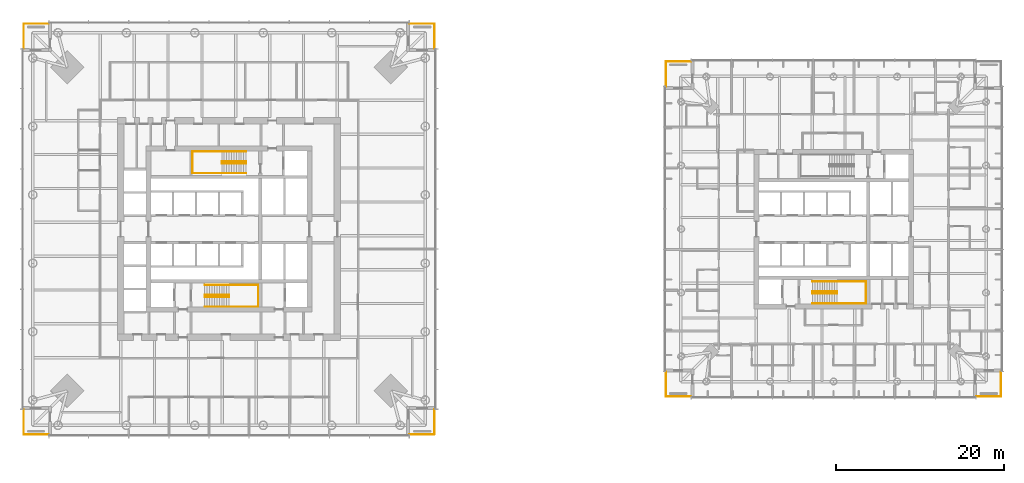
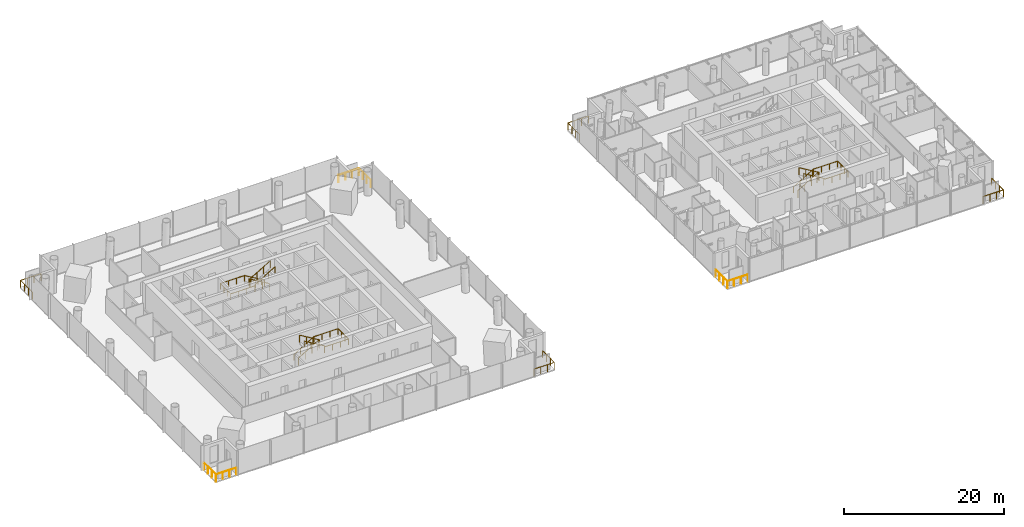
# One storey, part 21 of 22: 13 railings.
"""IFC4 building model written with IfcOpenShell, lengths in metres."""

from ifc_helpers import new_model, si_unit, direction, frame, origin, origin_2d, place, context, subcontext, project, spatial, circle, extrude, material, type_object, element, save


model = new_model("IFC4")

# Units and contexts
model_context = context("Model", 3, precision=1e-05, world=origin(), true_north=direction((0.0, 1.0)))
body_context = subcontext(model_context, "Body", "Model", "MODEL_VIEW")
ifc_project = project(units=[si_unit("LENGTHUNIT", "METRE"), si_unit("AREAUNIT", "SQUARE_METRE"), si_unit("VOLUMEUNIT", "CUBIC_METRE"), si_unit("PLANEANGLEUNIT", "RADIAN"), si_unit("MASSUNIT", "GRAM", prefix="KILO")], contexts=[model_context])

# Site, building, storey
site_placement = place(None, origin())
site = spatial("IfcSite", under=ifc_project, at=site_placement, CompositionType="ELEMENT")
building_placement = place(site_placement, origin())
building = spatial("IfcBuilding", under=site, at=building_placement, Name="Ostroluk Exchange", CompositionType="ELEMENT")
storey_placement = place(building_placement, frame((0.0, 0.0, 40.0)))
storey = spatial("IfcBuildingStorey", under=building, at=storey_placement, Name="L09", CompositionType="ELEMENT", Elevation=40.0)

# Railings
ifc_material_1 = material(Name="Stainless steel", Category="steel")
railing_type_1 = type_object("IfcRailingType", Name="Guard 1100 stainless steel", PredefinedType="GUARDRAIL", material=ifc_material_1)
railing_1_placement = place(storey_placement, frame((66.5, 21.550048828125, 0.0)))
element("IfcRailing", 1, at=railing_1_placement, inside=storey, type_object=railing_type_1, Name="Office tower SE balcony guard L09", PredefinedType="GUARDRAIL", context=body_context, shape_type="SweptSolid", body=[
    extrude(circle(Radius=0.02392578125, at=origin_2d()), frame((0.0, 0.0, 1.076171875), z_axis=(1.0, 0.0, 0.0), x_axis=(0.0, 1.0, 0.0)), (0.0, 0.0, 1.0), 2.949951171875),
    extrude(circle(Radius=0.02392578125, at=origin_2d()), frame((2.949951171875, 0.0, 1.076171875), z_axis=(0.0, 1.0, 0.0), x_axis=(-1.0, 0.0, 0.0)), (0.0, 0.0, 1.0), 2.949951171875),
    extrude(circle(Radius=0.02099609375, at=origin_2d()), origin(), (0.0, 0.0, 1.0), 1.052001953125),
    extrude(circle(Radius=0.02099609375, at=origin_2d()), frame((0.9833984375, 0.0, 0.0)), (0.0, 0.0, 1.0), 1.052001953125),
    extrude(circle(Radius=0.02099609375, at=origin_2d()), frame((1.966552734375, 0.0, 0.0)), (0.0, 0.0, 1.0), 1.052001953125),
    extrude(circle(Radius=0.02099609375, at=origin_2d()), frame((2.949951171875, 0.0, 0.0)), (0.0, 0.0, 1.0), 1.052001953125),
    extrude(circle(Radius=0.02099609375, at=origin_2d()), frame((2.949951171875, 0.9833984375, 0.0)), (0.0, 0.0, 1.0), 1.052001953125),
    extrude(circle(Radius=0.02099609375, at=origin_2d()), frame((2.949951171875, 1.966552734375, 0.0)), (0.0, 0.0, 1.0), 1.052001953125),
    extrude(circle(Radius=0.02099609375, at=origin_2d()), frame((2.949951171875, 2.949951171875, 0.0)), (0.0, 0.0, 1.0), 1.052001953125),
])
railing_2_placement = place(storey_placement, frame((66.5, 70.449951171875, 0.0)))
element("IfcRailing", 2, at=railing_2_placement, inside=storey, type_object=railing_type_1, Name="Office tower NE balcony guard L09", PredefinedType="GUARDRAIL", context=body_context, shape_type="SweptSolid", body=[
    extrude(circle(Radius=0.02392578125, at=origin_2d()), frame((0.0, 0.0, 1.076171875), z_axis=(1.0, 0.0, 0.0), x_axis=(0.0, 1.0, 0.0)), (0.0, 0.0, 1.0), 2.949951171875),
    extrude(circle(Radius=0.02392578125, at=origin_2d()), frame((2.949951171875, 0.0, 1.076171875), z_axis=(0.0, -1.0, 0.0), x_axis=(1.0, 0.0, 0.0)), (0.0, 0.0, 1.0), 2.949951171875),
    extrude(circle(Radius=0.02099609375, at=origin_2d()), origin(), (0.0, 0.0, 1.0), 1.052001953125),
    extrude(circle(Radius=0.02099609375, at=origin_2d()), frame((0.9833984375, 0.0, 0.0)), (0.0, 0.0, 1.0), 1.052001953125),
    extrude(circle(Radius=0.02099609375, at=origin_2d()), frame((1.966552734375, 0.0, 0.0)), (0.0, 0.0, 1.0), 1.052001953125),
    extrude(circle(Radius=0.02099609375, at=origin_2d()), frame((2.949951171875, 0.0, 0.0)), (0.0, 0.0, 1.0), 1.052001953125),
    extrude(circle(Radius=0.02099609375, at=origin_2d()), frame((2.949951171875, -0.9833984375, 0.0)), (0.0, 0.0, 1.0), 1.052001953125),
    extrude(circle(Radius=0.02099609375, at=origin_2d()), frame((2.949951171875, -1.966552734375, 0.0)), (0.0, 0.0, 1.0), 1.052001953125),
    extrude(circle(Radius=0.02099609375, at=origin_2d()), frame((2.949951171875, -2.949951171875, 0.0)), (0.0, 0.0, 1.0), 1.052001953125),
])
railing_3_placement = place(storey_placement, frame((23.5, 70.449951171875, 0.0)))
element("IfcRailing", 3, at=railing_3_placement, inside=storey, type_object=railing_type_1, Name="Office tower NW balcony guard L09", PredefinedType="GUARDRAIL", context=body_context, shape_type="SweptSolid", body=[
    extrude(circle(Radius=0.02392578125, at=origin_2d()), frame((0.0, 0.0, 1.076171875), z_axis=(-1.0, 0.0, 0.0), x_axis=(0.0, -1.0, 0.0)), (0.0, 0.0, 1.0), 2.949951171875),
    extrude(circle(Radius=0.02392578125, at=origin_2d()), frame((-2.949951171875, 0.0, 1.076171875), z_axis=(0.0, -1.0, 0.0), x_axis=(1.0, 0.0, 0.0)), (0.0, 0.0, 1.0), 2.949951171875),
    extrude(circle(Radius=0.02099609375, at=origin_2d()), origin(), (0.0, 0.0, 1.0), 1.052001953125),
    extrude(circle(Radius=0.02099609375, at=origin_2d()), frame((-0.9833984375, 0.0, 0.0)), (0.0, 0.0, 1.0), 1.052001953125),
    extrude(circle(Radius=0.02099609375, at=origin_2d()), frame((-1.966552734375, 0.0, 0.0)), (0.0, 0.0, 1.0), 1.052001953125),
    extrude(circle(Radius=0.02099609375, at=origin_2d()), frame((-2.949951171875, 0.0, 0.0)), (0.0, 0.0, 1.0), 1.052001953125),
    extrude(circle(Radius=0.02099609375, at=origin_2d()), frame((-2.949951171875, -0.9833984375, 0.0)), (0.0, 0.0, 1.0), 1.052001953125),
    extrude(circle(Radius=0.02099609375, at=origin_2d()), frame((-2.949951171875, -1.966552734375, 0.0)), (0.0, 0.0, 1.0), 1.052001953125),
    extrude(circle(Radius=0.02099609375, at=origin_2d()), frame((-2.949951171875, -2.949951171875, 0.0)), (0.0, 0.0, 1.0), 1.052001953125),
])
railing_4_placement = place(storey_placement, frame((23.5, 21.550048828125, 0.0)))
element("IfcRailing", 4, at=railing_4_placement, inside=storey, type_object=railing_type_1, Name="Office tower SW balcony guard L09", PredefinedType="GUARDRAIL", context=body_context, shape_type="SweptSolid", body=[
    extrude(circle(Radius=0.02392578125, at=origin_2d()), frame((0.0, 0.0, 1.076171875), z_axis=(-1.0, 0.0, 0.0), x_axis=(0.0, -1.0, 0.0)), (0.0, 0.0, 1.0), 2.949951171875),
    extrude(circle(Radius=0.02392578125, at=origin_2d()), frame((-2.949951171875, 0.0, 1.076171875), z_axis=(0.0, 1.0, 0.0), x_axis=(-1.0, 0.0, 0.0)), (0.0, 0.0, 1.0), 2.949951171875),
    extrude(circle(Radius=0.02099609375, at=origin_2d()), origin(), (0.0, 0.0, 1.0), 1.052001953125),
    extrude(circle(Radius=0.02099609375, at=origin_2d()), frame((-0.9833984375, 0.0, 0.0)), (0.0, 0.0, 1.0), 1.052001953125),
    extrude(circle(Radius=0.02099609375, at=origin_2d()), frame((-1.966552734375, 0.0, 0.0)), (0.0, 0.0, 1.0), 1.052001953125),
    extrude(circle(Radius=0.02099609375, at=origin_2d()), frame((-2.949951171875, 0.0, 0.0)), (0.0, 0.0, 1.0), 1.052001953125),
    extrude(circle(Radius=0.02099609375, at=origin_2d()), frame((-2.949951171875, 0.9833984375, 0.0)), (0.0, 0.0, 1.0), 1.052001953125),
    extrude(circle(Radius=0.02099609375, at=origin_2d()), frame((-2.949951171875, 1.966552734375, 0.0)), (0.0, 0.0, 1.0), 1.052001953125),
    extrude(circle(Radius=0.02099609375, at=origin_2d()), frame((-2.949951171875, 2.949951171875, 0.0)), (0.0, 0.0, 1.0), 1.052001953125),
])
railing_5_placement = place(storey_placement, frame((134.0, 26.050048828125, 0.0)))
element("IfcRailing", 5, at=railing_5_placement, inside=storey, type_object=railing_type_1, Name="Hotel tower SE balcony guard L09", PredefinedType="GUARDRAIL", context=body_context, shape_type="SweptSolid", body=[
    extrude(circle(Radius=0.02392578125, at=origin_2d()), frame((0.0, 0.0, 1.076171875), z_axis=(1.0, 0.0, 0.0), x_axis=(0.0, 1.0, 0.0)), (0.0, 0.0, 1.0), 2.949951171875),
    extrude(circle(Radius=0.02392578125, at=origin_2d()), frame((2.949951171875, 0.0, 1.076171875), z_axis=(0.0, 1.0, 0.0), x_axis=(-1.0, 0.0, 0.0)), (0.0, 0.0, 1.0), 2.949951171875),
    extrude(circle(Radius=0.02099609375, at=origin_2d()), origin(), (0.0, 0.0, 1.0), 1.052001953125),
    extrude(circle(Radius=0.02099609375, at=origin_2d()), frame((0.9833984375, 0.0, 0.0)), (0.0, 0.0, 1.0), 1.052001953125),
    extrude(circle(Radius=0.02099609375, at=origin_2d()), frame((1.966552734375, 0.0, 0.0)), (0.0, 0.0, 1.0), 1.052001953125),
    extrude(circle(Radius=0.02099609375, at=origin_2d()), frame((2.949951171875, 0.0, 0.0)), (0.0, 0.0, 1.0), 1.052001953125),
    extrude(circle(Radius=0.02099609375, at=origin_2d()), frame((2.949951171875, 0.9833984375, 0.0)), (0.0, 0.0, 1.0), 1.052001953125),
    extrude(circle(Radius=0.02099609375, at=origin_2d()), frame((2.949951171875, 1.966552734375, 0.0)), (0.0, 0.0, 1.0), 1.052001953125),
    extrude(circle(Radius=0.02099609375, at=origin_2d()), frame((2.949951171875, 2.949951171875, 0.0)), (0.0, 0.0, 1.0), 1.052001953125),
])
railing_6_placement = place(storey_placement, frame((100.0, 65.949951171875, 0.0)))
element("IfcRailing", 6, at=railing_6_placement, inside=storey, type_object=railing_type_1, Name="Hotel tower NW balcony guard L09", PredefinedType="GUARDRAIL", context=body_context, shape_type="SweptSolid", body=[
    extrude(circle(Radius=0.02392578125, at=origin_2d()), frame((0.0, 0.0, 1.076171875), z_axis=(-1.0, 0.0, 0.0), x_axis=(0.0, -1.0, 0.0)), (0.0, 0.0, 1.0), 2.949951171875),
    extrude(circle(Radius=0.02392578125, at=origin_2d()), frame((-2.949951171875, 0.0, 1.076171875), z_axis=(0.0, -1.0, 0.0), x_axis=(1.0, 0.0, 0.0)), (0.0, 0.0, 1.0), 2.949951171875),
    extrude(circle(Radius=0.02099609375, at=origin_2d()), origin(), (0.0, 0.0, 1.0), 1.052001953125),
    extrude(circle(Radius=0.02099609375, at=origin_2d()), frame((-0.9833984375, 0.0, 0.0)), (0.0, 0.0, 1.0), 1.052001953125),
    extrude(circle(Radius=0.02099609375, at=origin_2d()), frame((-1.966552734375, 0.0, 0.0)), (0.0, 0.0, 1.0), 1.052001953125),
    extrude(circle(Radius=0.02099609375, at=origin_2d()), frame((-2.949951171875, 0.0, 0.0)), (0.0, 0.0, 1.0), 1.052001953125),
    extrude(circle(Radius=0.02099609375, at=origin_2d()), frame((-2.949951171875, -0.9833984375, 0.0)), (0.0, 0.0, 1.0), 1.052001953125),
    extrude(circle(Radius=0.02099609375, at=origin_2d()), frame((-2.949951171875, -1.966552734375, 0.0)), (0.0, 0.0, 1.0), 1.052001953125),
    extrude(circle(Radius=0.02099609375, at=origin_2d()), frame((-2.949951171875, -2.949951171875, 0.0)), (0.0, 0.0, 1.0), 1.052001953125),
])
railing_7_placement = place(storey_placement, frame((100.0, 26.050048828125, 0.0)))
element("IfcRailing", 7, at=railing_7_placement, inside=storey, type_object=railing_type_1, Name="Hotel tower SW balcony guard L09", PredefinedType="GUARDRAIL", context=body_context, shape_type="SweptSolid", body=[
    extrude(circle(Radius=0.02392578125, at=origin_2d()), frame((0.0, 0.0, 1.076171875), z_axis=(-1.0, 0.0, 0.0), x_axis=(0.0, -1.0, 0.0)), (0.0, 0.0, 1.0), 2.949951171875),
    extrude(circle(Radius=0.02392578125, at=origin_2d()), frame((-2.949951171875, 0.0, 1.076171875), z_axis=(0.0, 1.0, 0.0), x_axis=(-1.0, 0.0, 0.0)), (0.0, 0.0, 1.0), 2.949951171875),
    extrude(circle(Radius=0.02099609375, at=origin_2d()), origin(), (0.0, 0.0, 1.0), 1.052001953125),
    extrude(circle(Radius=0.02099609375, at=origin_2d()), frame((-0.9833984375, 0.0, 0.0)), (0.0, 0.0, 1.0), 1.052001953125),
    extrude(circle(Radius=0.02099609375, at=origin_2d()), frame((-1.966552734375, 0.0, 0.0)), (0.0, 0.0, 1.0), 1.052001953125),
    extrude(circle(Radius=0.02099609375, at=origin_2d()), frame((-2.949951171875, 0.0, 0.0)), (0.0, 0.0, 1.0), 1.052001953125),
    extrude(circle(Radius=0.02099609375, at=origin_2d()), frame((-2.949951171875, 0.9833984375, 0.0)), (0.0, 0.0, 1.0), 1.052001953125),
    extrude(circle(Radius=0.02099609375, at=origin_2d()), frame((-2.949951171875, 1.966552734375, 0.0)), (0.0, 0.0, 1.0), 1.052001953125),
    extrude(circle(Radius=0.02099609375, at=origin_2d()), frame((-2.949951171875, 2.949951171875, 0.0)), (0.0, 0.0, 1.0), 1.052001953125),
])
ifc_material_2 = material(Name="Steel S355", Category="steel")
railing_type_2 = type_object("IfcRailingType", Name="Stair guard 1100", PredefinedType="GUARDRAIL", material=ifc_material_2)
railing_8_placement = place(storey_placement, frame((42.10009765625, 38.179931640625, 0.172607421875)))
element("IfcRailing", 8, at=railing_8_placement, inside=storey, type_object=railing_type_2, Name="Stair T1-S1 guard L09", PredefinedType="GUARDRAIL", context=body_context, shape_type="SweptSolid", body=[
    extrude(circle(Radius=0.02392578125, at=origin_2d()), frame((0.0, 0.0, 1.076171875), z_axis=(0.859141464434, 0.0, 0.511738159696), x_axis=(0.0, 1.0, 0.0)), (0.0, 0.0, 1.0), 3.375244140625),
    extrude(circle(Radius=0.02392578125, at=origin_2d()), frame((2.89990234375, 0.0, 2.80322265625), z_axis=(0.0, -1.0, 0.0), x_axis=(1.0, 0.0, 0.0)), (0.0, 0.0, 1.0), 0.260009765625),
    extrude(circle(Radius=0.02392578125, at=origin_2d()), frame((2.89990234375, -0.260009765625, 2.80322265625), z_axis=(0.0, 0.0, 1.0), x_axis=(1.0, 0.0, 0.0)), (0.0, 0.0, 1.0), 0.1728515625),
    extrude(circle(Radius=0.02392578125, at=origin_2d()), frame((2.89990234375, -0.260009765625, 2.97607421875), z_axis=(-0.859141464434, 0.0, 0.511738159696), x_axis=(0.0, -1.0, 0.0)), (0.0, 0.0, 1.0), 3.375244140625),
    extrude(circle(Radius=0.02099609375, at=origin_2d()), origin(), (0.0, 0.0, 1.0), 1.052001953125),
    extrude(circle(Radius=0.02099609375, at=origin_2d()), frame((0.966552734375, 0.0, 0.57568359375)), (0.0, 0.0, 1.0), 1.052001953125),
    extrude(circle(Radius=0.02099609375, at=origin_2d()), frame((1.933349609375, 0.0, 1.151611328125)), (0.0, 0.0, 1.0), 1.052001953125),
    extrude(circle(Radius=0.02099609375, at=origin_2d()), frame((2.89990234375, 0.0, 1.727294921875)), (0.0, 0.0, 1.0), 1.052001953125),
    extrude(circle(Radius=0.02099609375, at=origin_2d()), frame((2.89990234375, -0.260009765625, 1.727294921875)), (0.0, 0.0, 1.0), 1.052001953125),
    extrude(circle(Radius=0.02099609375, at=origin_2d()), frame((2.89990234375, -0.260009765625, 1.900146484375)), (0.0, 0.0, 1.0), 1.052001953125),
    extrude(circle(Radius=0.02099609375, at=origin_2d()), frame((1.933349609375, -0.260009765625, 2.475830078125)), (0.0, 0.0, 1.0), 1.052001953125),
    extrude(circle(Radius=0.02099609375, at=origin_2d()), frame((0.966552734375, -0.260009765625, 3.0517578125)), (0.0, 0.0, 1.0), 1.052001953125),
    extrude(circle(Radius=0.02099609375, at=origin_2d()), frame((0.0, -0.260009765625, 3.62744140625)), (0.0, 0.0, 1.0), 1.052001953125),
])
railing_9_placement = place(storey_placement, frame((47.030029296875, 54.080078125, 0.172607421875)))
element("IfcRailing", 9, at=railing_9_placement, inside=storey, type_object=railing_type_2, Name="Stair T1-S2 guard L09", PredefinedType="GUARDRAIL", context=body_context, shape_type="SweptSolid", body=[
    extrude(circle(Radius=0.02392578125, at=origin_2d()), frame((0.0, 0.0, 1.076171875), z_axis=(-0.859160404282, 0.0, 0.51170636083), x_axis=(0.0, -1.0, 0.0)), (0.0, 0.0, 1.0), 3.37548828125),
    extrude(circle(Radius=0.02392578125, at=origin_2d()), frame((-2.900146484375, 0.0, 2.80322265625), z_axis=(0.0, -1.0, 0.0), x_axis=(1.0, 0.0, 0.0)), (0.0, 0.0, 1.0), 0.260009765625),
    extrude(circle(Radius=0.02392578125, at=origin_2d()), frame((-2.900146484375, -0.260009765625, 2.80322265625), z_axis=(0.0, 0.0, 1.0), x_axis=(1.0, 0.0, 0.0)), (0.0, 0.0, 1.0), 0.1728515625),
    extrude(circle(Radius=0.02392578125, at=origin_2d()), frame((-2.900146484375, -0.260009765625, 2.97607421875), z_axis=(0.859160404282, 0.0, 0.51170636083), x_axis=(0.0, 1.0, 0.0)), (0.0, 0.0, 1.0), 3.37548828125),
    extrude(circle(Radius=0.02099609375, at=origin_2d()), origin(), (0.0, 0.0, 1.0), 1.052001953125),
    extrude(circle(Radius=0.02099609375, at=origin_2d()), frame((-0.966796875, 0.0, 0.57568359375)), (0.0, 0.0, 1.0), 1.052001953125),
    extrude(circle(Radius=0.02099609375, at=origin_2d()), frame((-1.933349609375, 0.0, 1.151611328125)), (0.0, 0.0, 1.0), 1.052001953125),
    extrude(circle(Radius=0.02099609375, at=origin_2d()), frame((-2.900146484375, 0.0, 1.727294921875)), (0.0, 0.0, 1.0), 1.052001953125),
    extrude(circle(Radius=0.02099609375, at=origin_2d()), frame((-2.900146484375, -0.260009765625, 1.727294921875)), (0.0, 0.0, 1.0), 1.052001953125),
    extrude(circle(Radius=0.02099609375, at=origin_2d()), frame((-2.900146484375, -0.260009765625, 1.900146484375)), (0.0, 0.0, 1.0), 1.052001953125),
    extrude(circle(Radius=0.02099609375, at=origin_2d()), frame((-1.933349609375, -0.260009765625, 2.475830078125)), (0.0, 0.0, 1.0), 1.052001953125),
    extrude(circle(Radius=0.02099609375, at=origin_2d()), frame((-0.966796875, -0.260009765625, 3.0517578125)), (0.0, 0.0, 1.0), 1.052001953125),
    extrude(circle(Radius=0.02099609375, at=origin_2d()), frame((0.0, -0.260009765625, 3.62744140625)), (0.0, 0.0, 1.0), 1.052001953125),
])
railing_10_placement = place(storey_placement, frame((114.5, 38.580078125, 0.172607421875)))
element("IfcRailing", 10, at=railing_10_placement, inside=storey, type_object=railing_type_2, Name="Stair T2-S1 guard L09", PredefinedType="GUARDRAIL", context=body_context, shape_type="SweptSolid", body=[
    extrude(circle(Radius=0.02392578125, at=origin_2d()), frame((0.0, 0.0, 1.076171875), z_axis=(0.859141464434, 0.0, 0.511738159696), x_axis=(0.0, 1.0, 0.0)), (0.0, 0.0, 1.0), 3.375244140625),
    extrude(circle(Radius=0.02392578125, at=origin_2d()), frame((2.89990234375, 0.0, 2.80322265625), z_axis=(0.0, -1.0, 0.0), x_axis=(1.0, 0.0, 0.0)), (0.0, 0.0, 1.0), 0.260009765625),
    extrude(circle(Radius=0.02392578125, at=origin_2d()), frame((2.89990234375, -0.260009765625, 2.80322265625), z_axis=(0.0, 0.0, 1.0), x_axis=(1.0, 0.0, 0.0)), (0.0, 0.0, 1.0), 0.1728515625),
    extrude(circle(Radius=0.02392578125, at=origin_2d()), frame((2.89990234375, -0.260009765625, 2.97607421875), z_axis=(-0.859141464434, 0.0, 0.511738159696), x_axis=(0.0, -1.0, 0.0)), (0.0, 0.0, 1.0), 3.375244140625),
    extrude(circle(Radius=0.02099609375, at=origin_2d()), origin(), (0.0, 0.0, 1.0), 1.052001953125),
    extrude(circle(Radius=0.02099609375, at=origin_2d()), frame((0.966552734375, 0.0, 0.57568359375)), (0.0, 0.0, 1.0), 1.052001953125),
    extrude(circle(Radius=0.02099609375, at=origin_2d()), frame((1.933349609375, 0.0, 1.151611328125)), (0.0, 0.0, 1.0), 1.052001953125),
    extrude(circle(Radius=0.02099609375, at=origin_2d()), frame((2.89990234375, 0.0, 1.727294921875)), (0.0, 0.0, 1.0), 1.052001953125),
    extrude(circle(Radius=0.02099609375, at=origin_2d()), frame((2.89990234375, -0.260009765625, 1.727294921875)), (0.0, 0.0, 1.0), 1.052001953125),
    extrude(circle(Radius=0.02099609375, at=origin_2d()), frame((2.89990234375, -0.260009765625, 1.900146484375)), (0.0, 0.0, 1.0), 1.052001953125),
    extrude(circle(Radius=0.02099609375, at=origin_2d()), frame((1.933349609375, -0.260009765625, 2.475830078125)), (0.0, 0.0, 1.0), 1.052001953125),
    extrude(circle(Radius=0.02099609375, at=origin_2d()), frame((0.966552734375, -0.260009765625, 3.0517578125)), (0.0, 0.0, 1.0), 1.052001953125),
    extrude(circle(Radius=0.02099609375, at=origin_2d()), frame((0.0, -0.260009765625, 3.62744140625)), (0.0, 0.0, 1.0), 1.052001953125),
])
ifc_material_3 = material(Name="Stainless steel", Category="steel")
railing_type_3 = type_object("IfcRailingType", Name="Stair handrail 900", PredefinedType="HANDRAIL", material=ifc_material_3)
railing_11_placement = place(storey_placement, frame((42.10009765625, 39.35009765625, 0.172607421875)))
element("IfcRailing", 11, at=railing_11_placement, inside=storey, type_object=railing_type_3, Name="Stair T1-S1 handrail L09", PredefinedType="HANDRAIL", context=body_context, shape_type="SweptSolid", body=[
    extrude(circle(Radius=0.02392578125, at=origin_2d()), frame((0.0, 0.0, 0.8759765625), z_axis=(0.859141464434, 0.0, 0.511738159696), x_axis=(0.0, 1.0, 0.0)), (0.0, 0.0, 1.0), 3.375244140625),
    extrude(circle(Radius=0.02392578125, at=origin_2d()), frame((2.89990234375, 0.0, 2.60302734375), z_axis=(1.0, 0.0, 0.0), x_axis=(0.0, 1.0, 0.0)), (0.0, 0.0, 1.0), 3.47998046875),
    extrude(circle(Radius=0.02392578125, at=origin_2d()), frame((6.3798828125, 0.0, 2.60302734375), z_axis=(0.0, -1.0, 0.0), x_axis=(1.0, 0.0, 0.0)), (0.0, 0.0, 1.0), 2.60009765625),
    extrude(circle(Radius=0.02392578125, at=origin_2d()), frame((6.3798828125, -2.60009765625, 2.60302734375), z_axis=(-1.0, 0.0, 0.0), x_axis=(0.0, -1.0, 0.0)), (0.0, 0.0, 1.0), 3.47998046875),
    extrude(circle(Radius=0.02392578125, at=origin_2d()), frame((2.89990234375, -2.60009765625, 2.60302734375), z_axis=(0.0, 0.0, 1.0), x_axis=(1.0, 0.0, 0.0)), (0.0, 0.0, 1.0), 0.1728515625),
    extrude(circle(Radius=0.02392578125, at=origin_2d()), frame((2.89990234375, -2.60009765625, 2.77587890625), z_axis=(-0.859141464434, 0.0, 0.511738159696), x_axis=(0.0, -1.0, 0.0)), (0.0, 0.0, 1.0), 3.375244140625),
    extrude(circle(Radius=0.02099609375, at=origin_2d()), origin(), (0.0, 0.0, 1.0), 0.851806640625),
    extrude(circle(Radius=0.02099609375, at=origin_2d()), frame((0.966552734375, 0.0, 0.57568359375)), (0.0, 0.0, 1.0), 0.851806640625),
    extrude(circle(Radius=0.02099609375, at=origin_2d()), frame((1.933349609375, 0.0, 1.151611328125)), (0.0, 0.0, 1.0), 0.851806640625),
    extrude(circle(Radius=0.02099609375, at=origin_2d()), frame((2.89990234375, 0.0, 1.727294921875)), (0.0, 0.0, 1.0), 0.851806640625),
    extrude(circle(Radius=0.02099609375, at=origin_2d()), frame((4.059814453125, 0.0, 1.727294921875)), (0.0, 0.0, 1.0), 0.851806640625),
    extrude(circle(Radius=0.02099609375, at=origin_2d()), frame((5.219970703125, 0.0, 1.727294921875)), (0.0, 0.0, 1.0), 0.851806640625),
    extrude(circle(Radius=0.02099609375, at=origin_2d()), frame((6.3798828125, 0.0, 1.727294921875)), (0.0, 0.0, 1.0), 0.851806640625),
    extrude(circle(Radius=0.02099609375, at=origin_2d()), frame((6.3798828125, -0.86669921875, 1.727294921875)), (0.0, 0.0, 1.0), 0.851806640625),
    extrude(circle(Radius=0.02099609375, at=origin_2d()), frame((6.3798828125, -1.7333984375, 1.727294921875)), (0.0, 0.0, 1.0), 0.851806640625),
    extrude(circle(Radius=0.02099609375, at=origin_2d()), frame((6.3798828125, -2.60009765625, 1.727294921875)), (0.0, 0.0, 1.0), 0.851806640625),
    extrude(circle(Radius=0.02099609375, at=origin_2d()), frame((5.219970703125, -2.60009765625, 1.727294921875)), (0.0, 0.0, 1.0), 0.851806640625),
    extrude(circle(Radius=0.02099609375, at=origin_2d()), frame((4.059814453125, -2.60009765625, 1.727294921875)), (0.0, 0.0, 1.0), 0.851806640625),
    extrude(circle(Radius=0.02099609375, at=origin_2d()), frame((2.89990234375, -2.60009765625, 1.727294921875)), (0.0, 0.0, 1.0), 0.851806640625),
    extrude(circle(Radius=0.02099609375, at=origin_2d()), frame((2.89990234375, -2.60009765625, 1.900146484375)), (0.0, 0.0, 1.0), 0.851806640625),
    extrude(circle(Radius=0.02099609375, at=origin_2d()), frame((1.933349609375, -2.60009765625, 2.475830078125)), (0.0, 0.0, 1.0), 0.851806640625),
    extrude(circle(Radius=0.02099609375, at=origin_2d()), frame((0.966552734375, -2.60009765625, 3.0517578125)), (0.0, 0.0, 1.0), 0.851806640625),
    extrude(circle(Radius=0.02099609375, at=origin_2d()), frame((0.0, -2.60009765625, 3.62744140625)), (0.0, 0.0, 1.0), 0.851806640625),
])
railing_12_placement = place(storey_placement, frame((47.030029296875, 55.25, 0.172607421875)))
element("IfcRailing", 12, at=railing_12_placement, inside=storey, type_object=railing_type_3, Name="Stair T1-S2 handrail L09", PredefinedType="HANDRAIL", context=body_context, shape_type="SweptSolid", body=[
    extrude(circle(Radius=0.02392578125, at=origin_2d()), frame((0.0, 0.0, 0.8759765625), z_axis=(-0.859160404282, 0.0, 0.51170636083), x_axis=(0.0, -1.0, 0.0)), (0.0, 0.0, 1.0), 3.37548828125),
    extrude(circle(Radius=0.02392578125, at=origin_2d()), frame((-2.900146484375, 0.0, 2.60302734375), z_axis=(-1.0, 0.0, 0.0), x_axis=(0.0, -1.0, 0.0)), (0.0, 0.0, 1.0), 3.47998046875),
    extrude(circle(Radius=0.02392578125, at=origin_2d()), frame((-6.380126953125, 0.0, 2.60302734375), z_axis=(0.0, -1.0, 0.0), x_axis=(1.0, 0.0, 0.0)), (0.0, 0.0, 1.0), 2.60009765625),
    extrude(circle(Radius=0.02392578125, at=origin_2d()), frame((-6.380126953125, -2.60009765625, 2.60302734375), z_axis=(1.0, 0.0, 0.0), x_axis=(0.0, 1.0, 0.0)), (0.0, 0.0, 1.0), 3.47998046875),
    extrude(circle(Radius=0.02392578125, at=origin_2d()), frame((-2.900146484375, -2.60009765625, 2.60302734375), z_axis=(0.0, 0.0, 1.0), x_axis=(1.0, 0.0, 0.0)), (0.0, 0.0, 1.0), 0.1728515625),
    extrude(circle(Radius=0.02392578125, at=origin_2d()), frame((-2.900146484375, -2.60009765625, 2.77587890625), z_axis=(0.859160404282, 0.0, 0.51170636083), x_axis=(0.0, 1.0, 0.0)), (0.0, 0.0, 1.0), 3.37548828125),
    extrude(circle(Radius=0.02099609375, at=origin_2d()), origin(), (0.0, 0.0, 1.0), 0.851806640625),
    extrude(circle(Radius=0.02099609375, at=origin_2d()), frame((-0.966796875, 0.0, 0.57568359375)), (0.0, 0.0, 1.0), 0.851806640625),
    extrude(circle(Radius=0.02099609375, at=origin_2d()), frame((-1.933349609375, 0.0, 1.151611328125)), (0.0, 0.0, 1.0), 0.851806640625),
    extrude(circle(Radius=0.02099609375, at=origin_2d()), frame((-2.900146484375, 0.0, 1.727294921875)), (0.0, 0.0, 1.0), 0.851806640625),
    extrude(circle(Radius=0.02099609375, at=origin_2d()), frame((-4.06005859375, 0.0, 1.727294921875)), (0.0, 0.0, 1.0), 0.851806640625),
    extrude(circle(Radius=0.02099609375, at=origin_2d()), frame((-5.22021484375, 0.0, 1.727294921875)), (0.0, 0.0, 1.0), 0.851806640625),
    extrude(circle(Radius=0.02099609375, at=origin_2d()), frame((-6.380126953125, 0.0, 1.727294921875)), (0.0, 0.0, 1.0), 0.851806640625),
    extrude(circle(Radius=0.02099609375, at=origin_2d()), frame((-6.380126953125, -0.86669921875, 1.727294921875)), (0.0, 0.0, 1.0), 0.851806640625),
    extrude(circle(Radius=0.02099609375, at=origin_2d()), frame((-6.380126953125, -1.7333984375, 1.727294921875)), (0.0, 0.0, 1.0), 0.851806640625),
    extrude(circle(Radius=0.02099609375, at=origin_2d()), frame((-6.380126953125, -2.60009765625, 1.727294921875)), (0.0, 0.0, 1.0), 0.851806640625),
    extrude(circle(Radius=0.02099609375, at=origin_2d()), frame((-5.22021484375, -2.60009765625, 1.727294921875)), (0.0, 0.0, 1.0), 0.851806640625),
    extrude(circle(Radius=0.02099609375, at=origin_2d()), frame((-4.06005859375, -2.60009765625, 1.727294921875)), (0.0, 0.0, 1.0), 0.851806640625),
    extrude(circle(Radius=0.02099609375, at=origin_2d()), frame((-2.900146484375, -2.60009765625, 1.727294921875)), (0.0, 0.0, 1.0), 0.851806640625),
    extrude(circle(Radius=0.02099609375, at=origin_2d()), frame((-2.900146484375, -2.60009765625, 1.900146484375)), (0.0, 0.0, 1.0), 0.851806640625),
    extrude(circle(Radius=0.02099609375, at=origin_2d()), frame((-1.933349609375, -2.60009765625, 2.475830078125)), (0.0, 0.0, 1.0), 0.851806640625),
    extrude(circle(Radius=0.02099609375, at=origin_2d()), frame((-0.966796875, -2.60009765625, 3.0517578125)), (0.0, 0.0, 1.0), 0.851806640625),
    extrude(circle(Radius=0.02099609375, at=origin_2d()), frame((0.0, -2.60009765625, 3.62744140625)), (0.0, 0.0, 1.0), 0.851806640625),
])
railing_13_placement = place(storey_placement, frame((114.5, 39.75, 0.172607421875)))
element("IfcRailing", 13, at=railing_13_placement, inside=storey, type_object=railing_type_3, Name="Stair T2-S1 handrail L09", PredefinedType="HANDRAIL", context=body_context, shape_type="SweptSolid", body=[
    extrude(circle(Radius=0.02392578125, at=origin_2d()), frame((0.0, 0.0, 0.8759765625), z_axis=(0.859141464434, 0.0, 0.511738159696), x_axis=(0.0, 1.0, 0.0)), (0.0, 0.0, 1.0), 3.375244140625),
    extrude(circle(Radius=0.02392578125, at=origin_2d()), frame((2.89990234375, 0.0, 2.60302734375), z_axis=(1.0, 0.0, 0.0), x_axis=(0.0, 1.0, 0.0)), (0.0, 0.0, 1.0), 3.47998046875),
    extrude(circle(Radius=0.02392578125, at=origin_2d()), frame((6.3798828125, 0.0, 2.60302734375), z_axis=(0.0, -1.0, 0.0), x_axis=(1.0, 0.0, 0.0)), (0.0, 0.0, 1.0), 2.60009765625),
    extrude(circle(Radius=0.02392578125, at=origin_2d()), frame((6.3798828125, -2.60009765625, 2.60302734375), z_axis=(-1.0, 0.0, 0.0), x_axis=(0.0, -1.0, 0.0)), (0.0, 0.0, 1.0), 3.47998046875),
    extrude(circle(Radius=0.02392578125, at=origin_2d()), frame((2.89990234375, -2.60009765625, 2.60302734375), z_axis=(0.0, 0.0, 1.0), x_axis=(1.0, 0.0, 0.0)), (0.0, 0.0, 1.0), 0.1728515625),
    extrude(circle(Radius=0.02392578125, at=origin_2d()), frame((2.89990234375, -2.60009765625, 2.77587890625), z_axis=(-0.859141464434, 0.0, 0.511738159696), x_axis=(0.0, -1.0, 0.0)), (0.0, 0.0, 1.0), 3.375244140625),
    extrude(circle(Radius=0.02099609375, at=origin_2d()), origin(), (0.0, 0.0, 1.0), 0.851806640625),
    extrude(circle(Radius=0.02099609375, at=origin_2d()), frame((0.966552734375, 0.0, 0.57568359375)), (0.0, 0.0, 1.0), 0.851806640625),
    extrude(circle(Radius=0.02099609375, at=origin_2d()), frame((1.933349609375, 0.0, 1.151611328125)), (0.0, 0.0, 1.0), 0.851806640625),
    extrude(circle(Radius=0.02099609375, at=origin_2d()), frame((2.89990234375, 0.0, 1.727294921875)), (0.0, 0.0, 1.0), 0.851806640625),
    extrude(circle(Radius=0.02099609375, at=origin_2d()), frame((4.059814453125, 0.0, 1.727294921875)), (0.0, 0.0, 1.0), 0.851806640625),
    extrude(circle(Radius=0.02099609375, at=origin_2d()), frame((5.219970703125, 0.0, 1.727294921875)), (0.0, 0.0, 1.0), 0.851806640625),
    extrude(circle(Radius=0.02099609375, at=origin_2d()), frame((6.3798828125, 0.0, 1.727294921875)), (0.0, 0.0, 1.0), 0.851806640625),
    extrude(circle(Radius=0.02099609375, at=origin_2d()), frame((6.3798828125, -0.86669921875, 1.727294921875)), (0.0, 0.0, 1.0), 0.851806640625),
    extrude(circle(Radius=0.02099609375, at=origin_2d()), frame((6.3798828125, -1.7333984375, 1.727294921875)), (0.0, 0.0, 1.0), 0.851806640625),
    extrude(circle(Radius=0.02099609375, at=origin_2d()), frame((6.3798828125, -2.60009765625, 1.727294921875)), (0.0, 0.0, 1.0), 0.851806640625),
    extrude(circle(Radius=0.02099609375, at=origin_2d()), frame((5.219970703125, -2.60009765625, 1.727294921875)), (0.0, 0.0, 1.0), 0.851806640625),
    extrude(circle(Radius=0.02099609375, at=origin_2d()), frame((4.059814453125, -2.60009765625, 1.727294921875)), (0.0, 0.0, 1.0), 0.851806640625),
    extrude(circle(Radius=0.02099609375, at=origin_2d()), frame((2.89990234375, -2.60009765625, 1.727294921875)), (0.0, 0.0, 1.0), 0.851806640625),
    extrude(circle(Radius=0.02099609375, at=origin_2d()), frame((2.89990234375, -2.60009765625, 1.900146484375)), (0.0, 0.0, 1.0), 0.851806640625),
    extrude(circle(Radius=0.02099609375, at=origin_2d()), frame((1.933349609375, -2.60009765625, 2.475830078125)), (0.0, 0.0, 1.0), 0.851806640625),
    extrude(circle(Radius=0.02099609375, at=origin_2d()), frame((0.966552734375, -2.60009765625, 3.0517578125)), (0.0, 0.0, 1.0), 0.851806640625),
    extrude(circle(Radius=0.02099609375, at=origin_2d()), frame((0.0, -2.60009765625, 3.62744140625)), (0.0, 0.0, 1.0), 0.851806640625),
])

save(model, "model.ifc")
